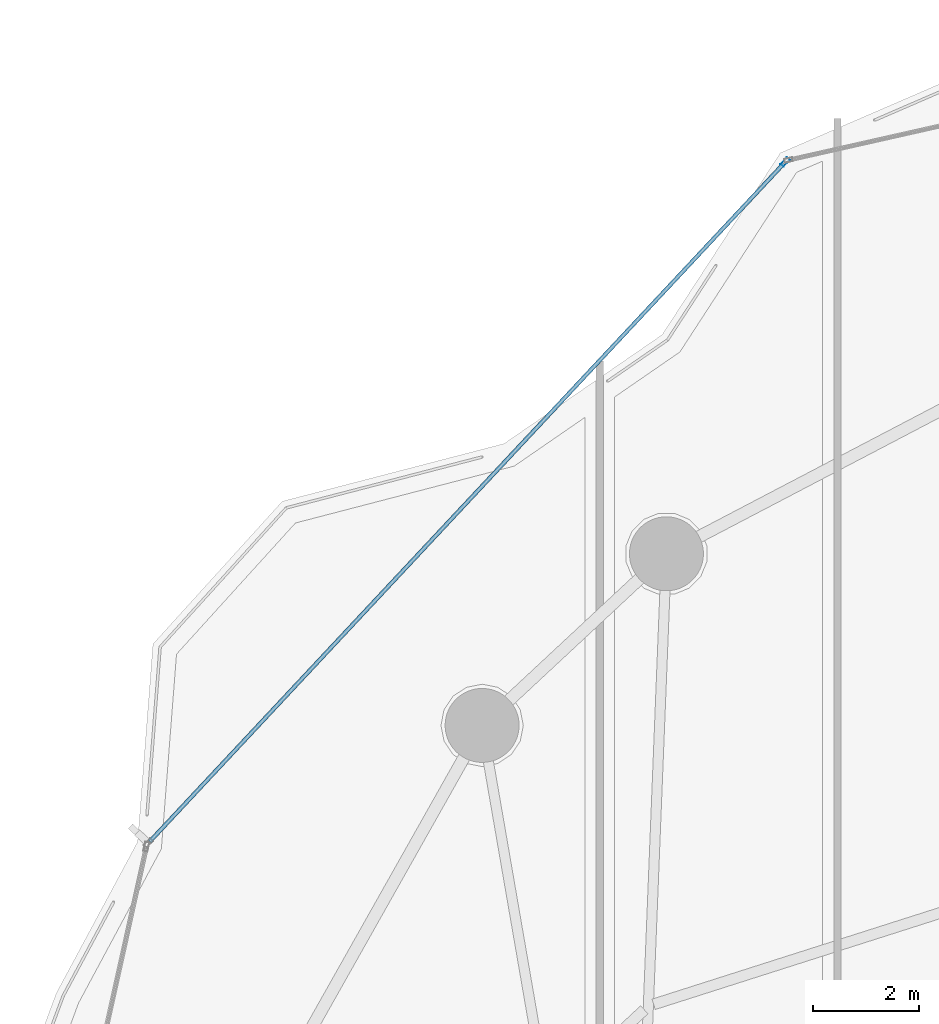
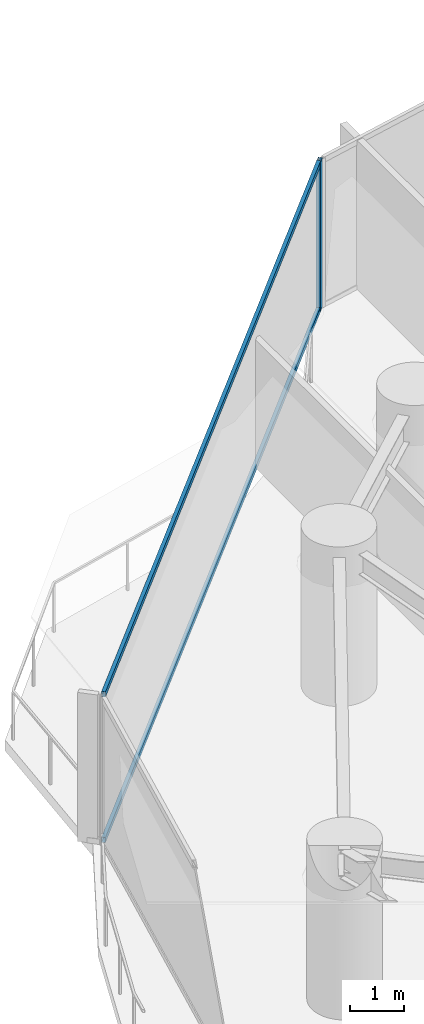
# One storey, part 16 of 33: 3 members, 1 element without a shape of its own.
"""IFC4 building model written with IfcOpenShell, lengths in metres."""

from ifc_helpers import new_model, si_unit, direction, frame, origin, origin_2d, place, context, subcontext, project, spatial, hollow_rectangle, extrude, material, layer, layer_set, material_profile, profile_set, type_object, element, aggregate, save


model = new_model("IFC4")

# Units and contexts
model_context = context("Model", 3, precision=1e-05, world=origin(), true_north=direction((0.0, 1.0)))
body_context = subcontext(model_context, "Body", "Model", "MODEL_VIEW")
ifc_project = project(units=[si_unit("LENGTHUNIT", "METRE"), si_unit("AREAUNIT", "SQUARE_METRE"), si_unit("VOLUMEUNIT", "CUBIC_METRE"), si_unit("PLANEANGLEUNIT", "RADIAN"), si_unit("MASSUNIT", "GRAM", prefix="KILO")], contexts=[model_context])

# Site, building, storey
site_placement = place(None, origin())
site = spatial("IfcSite", under=ifc_project, at=site_placement, CompositionType="ELEMENT")
building_placement = place(site_placement, origin())
building = spatial("IfcBuilding", under=site, at=building_placement, Name="Kazevale Care Tower and Concert Hall", CompositionType="ELEMENT")
storey_placement = place(building_placement, frame((0.0, 0.0, 45.60009765625)))
storey = spatial("IfcBuildingStorey", under=building, at=storey_placement, Name="L11", CompositionType="ELEMENT", Elevation=45.60009765625)

# Curtain wall, members
ifc_material_1 = material(Name="Aluminium 6063-T6 and Low-E Glass", Category="aluminium")
ifc_layer = layer(ifc_material_1, 0.179931640625)
ifc_layer_set = layer_set([ifc_layer], Name="Aluminium 6063-T6 and Low-E Glass")
curtain_wall_type = type_object("IfcCurtainWallType", Name="Convex Checkerboard Finned Curtain Wall CW-2", PredefinedType="NOTDEFINED", material=ifc_layer_set)
curtain_wall_placement = place(storey_placement, origin())
curtain_wall = element("IfcCurtainWall", 1, at=curtain_wall_placement, inside=storey, type_object=curtain_wall_type, Name="cw:L11:f14", PredefinedType="NOTDEFINED")
ifc_material_2 = material(Name="Aluminium 6063-T6", Category="aluminium")
ifc_material_profile_1 = material_profile(ifc_material_2, hollow_rectangle(XDim=0.080078125, YDim=0.179931640625, WallThickness=0.0048828125, at=origin_2d()), Name="ALU80x180x5")
ifc_profile_set_1 = profile_set([ifc_material_profile_1], Name="Aluminium 6063-T6")
member_type_1 = type_object("IfcMemberType", Name="CW-2 Mullion ALU80x180x5", PredefinedType="MULLION", material=ifc_profile_set_1)
member_1_placement = place(storey_placement, frame((25.009765625, 62.847900390625, 0.0), z_axis=(0.0, 0.0, 1.0), x_axis=(-0.730363049987, 0.683059159381, 0.0)))
member_1 = element("IfcMember", 2, at=member_1_placement, type_object=member_type_1, Name="CW-2 mullion 2", PredefinedType="MULLION", context=body_context, shape_type="SweptSolid", body=[
    extrude(hollow_rectangle(XDim=0.080078125, YDim=0.179931640625, WallThickness=0.0048828125, at=origin_2d()), origin(), (0.0, 0.0, 1.0), 3.35986328125),
])
ifc_material_profile_2 = material_profile(ifc_material_2, hollow_rectangle(XDim=0.074951171875, YDim=0.1201171875, WallThickness=0.00390625, at=origin_2d()), Name="ALU75x120x4")
ifc_profile_set_2 = profile_set([ifc_material_profile_2], Name="Aluminium 6063-T6")
member_type_2 = type_object("IfcMemberType", Name="CW-2 Transom ALU75x120x4", PredefinedType="USERDEFINED", material=ifc_profile_set_2)
member_2_placement = place(storey_placement, frame((12.9765625, 49.9814453125, 0.037353515625), z_axis=(0.68306321414, 0.730359257823, 0.0), x_axis=(-0.730359257823, 0.68306321414, 0.0)))
member_2 = element("IfcMember", 3, at=member_2_placement, type_object=member_type_2, Name="CW-2 transom 1.1", ObjectType="TRANSOM", PredefinedType="USERDEFINED", context=body_context, shape_type="SweptSolid", body=[
    extrude(hollow_rectangle(XDim=0.074951171875, YDim=0.1201171875, WallThickness=0.00390625, at=origin_2d()), origin(), (0.0, 0.0, 1.0), 17.576416015625),
])
member_3_placement = place(storey_placement, frame((12.9765625, 49.9814453125, 3.322509765625), z_axis=(0.68306321414, 0.730359257823, 0.0), x_axis=(-0.730359257823, 0.68306321414, 0.0)))
member_3 = element("IfcMember", 4, at=member_3_placement, type_object=member_type_2, Name="CW-2 transom 1.2", ObjectType="TRANSOM", PredefinedType="USERDEFINED", context=body_context, shape_type="SweptSolid", body=[
    extrude(hollow_rectangle(XDim=0.074951171875, YDim=0.1201171875, WallThickness=0.00390625, at=origin_2d()), origin(), (0.0, 0.0, 1.0), 17.576416015625),
])
aggregate(curtain_wall, [member_1, member_2, member_3])

save(model, "model.ifc")
